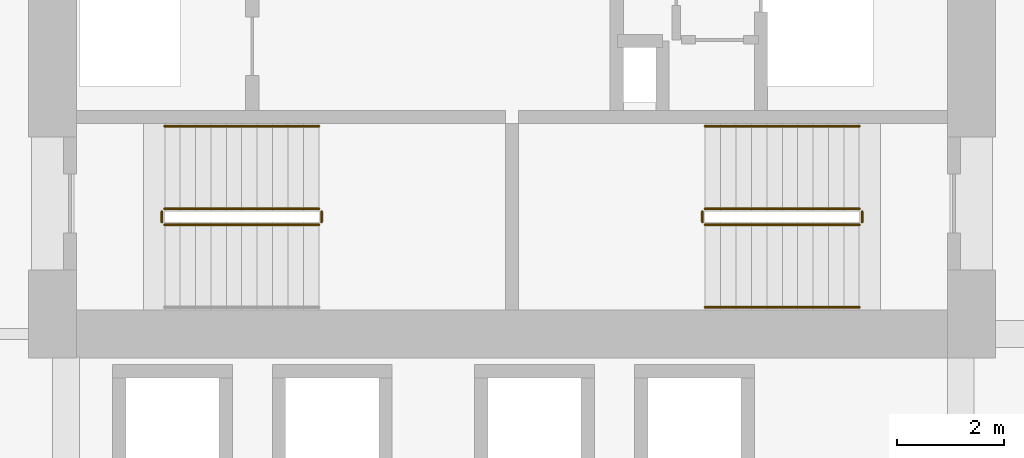
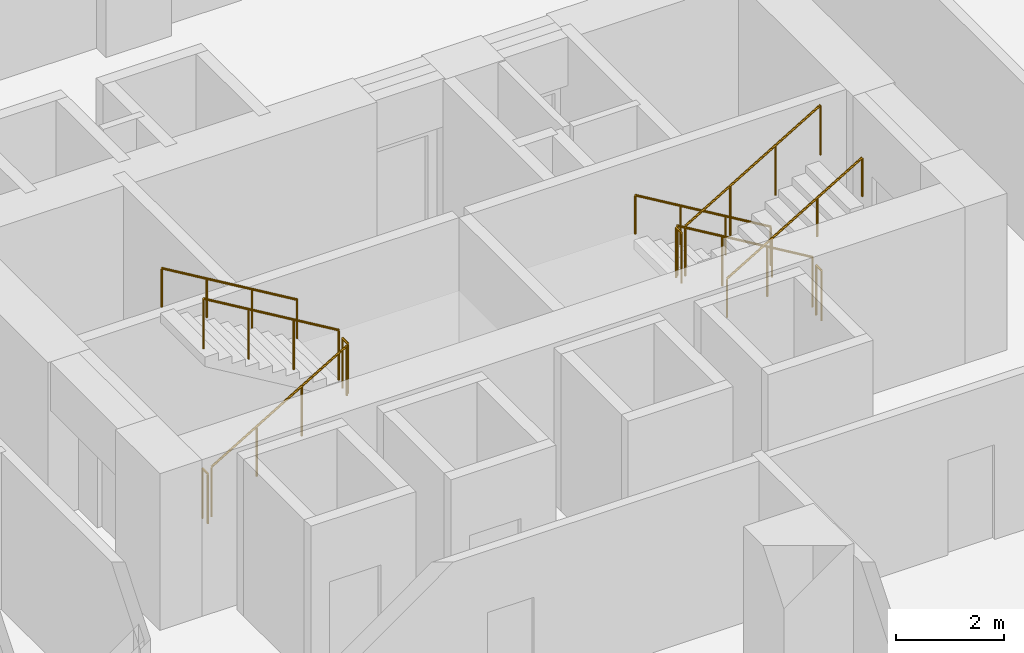
# One storey, part 22 of 24: 11 railings.
"""IFC4 building model written with IfcOpenShell, lengths in metres."""

from ifc_helpers import new_model, si_unit, direction, frame, origin, origin_2d, place, context, subcontext, project, spatial, circle, extrude, material, type_object, element, save


model = new_model("IFC4")

# Units and contexts
model_context = context("Model", 3, precision=1e-05, world=origin(), true_north=direction((0.0, 1.0)))
body_context = subcontext(model_context, "Body", "Model", "MODEL_VIEW")
ifc_project = project(units=[si_unit("LENGTHUNIT", "METRE"), si_unit("AREAUNIT", "SQUARE_METRE"), si_unit("VOLUMEUNIT", "CUBIC_METRE"), si_unit("PLANEANGLEUNIT", "RADIAN"), si_unit("MASSUNIT", "GRAM", prefix="KILO")], contexts=[model_context])

# Site, building, storey
site_placement = place(None, origin())
site = spatial("IfcSite", under=ifc_project, at=site_placement, CompositionType="ELEMENT")
building_placement = place(site_placement, origin())
building = spatial("IfcBuilding", under=site, at=building_placement, Name="Koriwani Terraces Tower", CompositionType="ELEMENT")
storey_placement = place(building_placement, frame((0.0, 0.0, 47.199951171875)))
storey = spatial("IfcBuildingStorey", under=building, at=storey_placement, Name="L10", CompositionType="ELEMENT", Elevation=47.199951171875)

# Railings
ifc_material = material(Name="Steel ASTM A572 Grade 50", Category="steel")
railing_type_1 = type_object("IfcRailingType", Name="GUARD_STAIR_WELL_1120", PredefinedType="GUARDRAIL", material=ifc_material)
railing_1_placement = place(storey_placement, frame((43.85009765625, 18.85009765625, 0.1728515625)))
element("IfcRailing", 1, at=railing_1_placement, inside=storey, type_object=railing_type_1, Name="L10 ST-E1 stair guard 1", PredefinedType="GUARDRAIL", context=body_context, shape_type="SweptSolid", body=[
    extrude(circle(Radius=0.02392578125, at=origin_2d()), frame((0.0, 0.0, 1.1259765625), z_axis=(0.859141464434, 0.0, 0.511738159696), x_axis=(0.0, 1.0, 0.0)), (0.0, 0.0, 1.0), 3.375244140625),
    extrude(circle(Radius=0.02099609375, at=origin_2d()), origin(), (0.0, 0.0, 1.0), 1.101806640625),
    extrude(circle(Radius=0.02099609375, at=origin_2d()), frame((0.966552734375, 0.0, 0.57568359375)), (0.0, 0.0, 1.0), 1.101806640625),
    extrude(circle(Radius=0.02099609375, at=origin_2d()), frame((1.933349609375, 0.0, 1.151611328125)), (0.0, 0.0, 1.0), 1.101806640625),
    extrude(circle(Radius=0.02099609375, at=origin_2d()), frame((2.89990234375, 0.0, 1.727294921875)), (0.0, 0.0, 1.0), 1.101806640625),
])
railing_2_placement = place(storey_placement, frame((46.800048828125, 18.89990234375, 1.900146484375)))
element("IfcRailing", 2, at=railing_2_placement, inside=storey, type_object=railing_type_1, Name="L10 ST-E1 stair guard 2", PredefinedType="GUARDRAIL", context=body_context, shape_type="SweptSolid", body=[
    extrude(circle(Radius=0.02392578125, at=origin_2d()), frame((0.0, 0.0, 1.1259765625), z_axis=(0.0, 1.0, 0.0), x_axis=(-1.0, 0.0, 0.0)), (0.0, 0.0, 1.0), 0.2001953125),
    extrude(circle(Radius=0.02099609375, at=origin_2d()), origin(), (0.0, 0.0, 1.0), 1.101806640625),
    extrude(circle(Radius=0.02099609375, at=origin_2d()), frame((0.0, 0.2001953125, 0.0)), (0.0, 0.0, 1.0), 1.101806640625),
])
railing_3_placement = place(storey_placement, frame((46.75, 19.14990234375, 2.07275390625)))
element("IfcRailing", 3, at=railing_3_placement, inside=storey, type_object=railing_type_1, Name="L10 ST-E1 stair guard 3", PredefinedType="GUARDRAIL", context=body_context, shape_type="SweptSolid", body=[
    extrude(circle(Radius=0.02392578125, at=origin_2d()), frame((0.0, 0.0, 1.1259765625), z_axis=(-0.859141464434, 0.0, 0.511738159696), x_axis=(0.0, -1.0, 0.0)), (0.0, 0.0, 1.0), 3.375244140625),
    extrude(circle(Radius=0.02099609375, at=origin_2d()), origin(), (0.0, 0.0, 1.0), 1.101806640625),
    extrude(circle(Radius=0.02099609375, at=origin_2d()), frame((-0.966552734375, 0.0, 0.57568359375)), (0.0, 0.0, 1.0), 1.101806640625),
    extrude(circle(Radius=0.02099609375, at=origin_2d()), frame((-1.933349609375, 0.0, 1.151611328125)), (0.0, 0.0, 1.0), 1.101806640625),
    extrude(circle(Radius=0.02099609375, at=origin_2d()), frame((-2.89990234375, 0.0, 1.727294921875)), (0.0, 0.0, 1.0), 1.101806640625),
])
railing_4_placement = place(storey_placement, frame((43.800048828125, 18.89990234375, 0.0)))
element("IfcRailing", 4, at=railing_4_placement, inside=storey, type_object=railing_type_1, Name="L10 ST-E1 stair guard 4", PredefinedType="GUARDRAIL", context=body_context, shape_type="SweptSolid", body=[
    extrude(circle(Radius=0.02392578125, at=origin_2d()), frame((0.0, 0.0, 1.1259765625), z_axis=(0.0, 1.0, 0.0), x_axis=(-1.0, 0.0, 0.0)), (0.0, 0.0, 1.0), 0.2001953125),
    extrude(circle(Radius=0.02099609375, at=origin_2d()), origin(), (0.0, 0.0, 1.0), 1.101806640625),
    extrude(circle(Radius=0.02099609375, at=origin_2d()), frame((0.0, 0.2001953125, 0.0)), (0.0, 0.0, 1.0), 1.101806640625),
])
railing_5_placement = place(storey_placement, frame((56.89990234375, 19.14990234375, 0.1728515625)))
element("IfcRailing", 5, at=railing_5_placement, inside=storey, type_object=railing_type_1, Name="L10 ST-E2 stair guard 1", PredefinedType="GUARDRAIL", context=body_context, shape_type="SweptSolid", body=[
    extrude(circle(Radius=0.02392578125, at=origin_2d()), frame((0.0, 0.0, 1.1259765625), z_axis=(-0.859141464434, 0.0, 0.511738159696), x_axis=(0.0, -1.0, 0.0)), (0.0, 0.0, 1.0), 3.375244140625),
    extrude(circle(Radius=0.02099609375, at=origin_2d()), origin(), (0.0, 0.0, 1.0), 1.101806640625),
    extrude(circle(Radius=0.02099609375, at=origin_2d()), frame((-0.966552734375, 0.0, 0.57568359375)), (0.0, 0.0, 1.0), 1.101806640625),
    extrude(circle(Radius=0.02099609375, at=origin_2d()), frame((-1.933349609375, 0.0, 1.151611328125)), (0.0, 0.0, 1.0), 1.101806640625),
    extrude(circle(Radius=0.02099609375, at=origin_2d()), frame((-2.89990234375, 0.0, 1.727294921875)), (0.0, 0.0, 1.0), 1.101806640625),
])
railing_6_placement = place(storey_placement, frame((53.949951171875, 19.10009765625, 1.900146484375)))
element("IfcRailing", 6, at=railing_6_placement, inside=storey, type_object=railing_type_1, Name="L10 ST-E2 stair guard 2", PredefinedType="GUARDRAIL", context=body_context, shape_type="SweptSolid", body=[
    extrude(circle(Radius=0.02392578125, at=origin_2d()), frame((0.0, 0.0, 1.1259765625), z_axis=(0.0, -1.0, 0.0), x_axis=(1.0, 0.0, 0.0)), (0.0, 0.0, 1.0), 0.2001953125),
    extrude(circle(Radius=0.02099609375, at=origin_2d()), origin(), (0.0, 0.0, 1.0), 1.101806640625),
    extrude(circle(Radius=0.02099609375, at=origin_2d()), frame((0.0, -0.2001953125, 0.0)), (0.0, 0.0, 1.0), 1.101806640625),
])
railing_7_placement = place(storey_placement, frame((54.0, 18.85009765625, 2.07275390625)))
element("IfcRailing", 7, at=railing_7_placement, inside=storey, type_object=railing_type_1, Name="L10 ST-E2 stair guard 3", PredefinedType="GUARDRAIL", context=body_context, shape_type="SweptSolid", body=[
    extrude(circle(Radius=0.02392578125, at=origin_2d()), frame((0.0, 0.0, 1.1259765625), z_axis=(0.859141464434, 0.0, 0.511738159696), x_axis=(0.0, 1.0, 0.0)), (0.0, 0.0, 1.0), 3.375244140625),
    extrude(circle(Radius=0.02099609375, at=origin_2d()), origin(), (0.0, 0.0, 1.0), 1.101806640625),
    extrude(circle(Radius=0.02099609375, at=origin_2d()), frame((0.966552734375, 0.0, 0.57568359375)), (0.0, 0.0, 1.0), 1.101806640625),
    extrude(circle(Radius=0.02099609375, at=origin_2d()), frame((1.933349609375, 0.0, 1.151611328125)), (0.0, 0.0, 1.0), 1.101806640625),
    extrude(circle(Radius=0.02099609375, at=origin_2d()), frame((2.89990234375, 0.0, 1.727294921875)), (0.0, 0.0, 1.0), 1.101806640625),
])
railing_8_placement = place(storey_placement, frame((56.949951171875, 19.10009765625, 0.0)))
element("IfcRailing", 8, at=railing_8_placement, inside=storey, type_object=railing_type_1, Name="L10 ST-E2 stair guard 4", PredefinedType="GUARDRAIL", context=body_context, shape_type="SweptSolid", body=[
    extrude(circle(Radius=0.02392578125, at=origin_2d()), frame((0.0, 0.0, 1.1259765625), z_axis=(0.0, -1.0, 0.0), x_axis=(1.0, 0.0, 0.0)), (0.0, 0.0, 1.0), 0.2001953125),
    extrude(circle(Radius=0.02099609375, at=origin_2d()), origin(), (0.0, 0.0, 1.0), 1.101806640625),
    extrude(circle(Radius=0.02099609375, at=origin_2d()), frame((0.0, -0.2001953125, 0.0)), (0.0, 0.0, 1.0), 1.101806640625),
])
railing_type_2 = type_object("IfcRailingType", Name="HANDRAIL_STAIR_920", PredefinedType="HANDRAIL", material=ifc_material)
for number, where, name in (
    (9, (46.75, 20.699951171875, 2.07275390625), "L10 ST-E1 stair handrail 2"),
    (10, (56.89990234375, 20.699951171875, 0.1728515625), "L10 ST-E2 stair handrail 1"),
):
    element("IfcRailing", number, at=place(storey_placement, frame(where)), inside=storey, type_object=railing_type_2, Name=name, PredefinedType="HANDRAIL", context=body_context, shape_type="SweptSolid", body=[
        extrude(circle(Radius=0.02392578125, at=origin_2d()), frame((0.0, 0.0, 0.8759765625), z_axis=(-0.859141464434, 0.0, 0.511738159696), x_axis=(0.0, -1.0, 0.0)), (0.0, 0.0, 1.0), 3.375244140625),
        extrude(circle(Radius=0.02099609375, at=origin_2d()), origin(), (0.0, 0.0, 1.0), 0.851806640625),
        extrude(circle(Radius=0.02099609375, at=origin_2d()), frame((-0.966552734375, 0.0, 0.57568359375)), (0.0, 0.0, 1.0), 0.851806640625),
        extrude(circle(Radius=0.02099609375, at=origin_2d()), frame((-1.933349609375, 0.0, 1.151611328125)), (0.0, 0.0, 1.0), 0.851806640625),
        extrude(circle(Radius=0.02099609375, at=origin_2d()), frame((-2.89990234375, 0.0, 1.727294921875)), (0.0, 0.0, 1.0), 0.851806640625),
    ])
railing_9_placement = place(storey_placement, frame((54.0, 17.300048828125, 2.07275390625)))
element("IfcRailing", 11, at=railing_9_placement, inside=storey, type_object=railing_type_2, Name="L10 ST-E2 stair handrail 2", PredefinedType="HANDRAIL", context=body_context, shape_type="SweptSolid", body=[
    extrude(circle(Radius=0.02392578125, at=origin_2d()), frame((0.0, 0.0, 0.8759765625), z_axis=(0.859141464434, 0.0, 0.511738159696), x_axis=(0.0, 1.0, 0.0)), (0.0, 0.0, 1.0), 3.375244140625),
    extrude(circle(Radius=0.02099609375, at=origin_2d()), origin(), (0.0, 0.0, 1.0), 0.851806640625),
    extrude(circle(Radius=0.02099609375, at=origin_2d()), frame((0.966552734375, 0.0, 0.57568359375)), (0.0, 0.0, 1.0), 0.851806640625),
    extrude(circle(Radius=0.02099609375, at=origin_2d()), frame((1.933349609375, 0.0, 1.151611328125)), (0.0, 0.0, 1.0), 0.851806640625),
    extrude(circle(Radius=0.02099609375, at=origin_2d()), frame((2.89990234375, 0.0, 1.727294921875)), (0.0, 0.0, 1.0), 0.851806640625),
])

save(model, "model.ifc")
